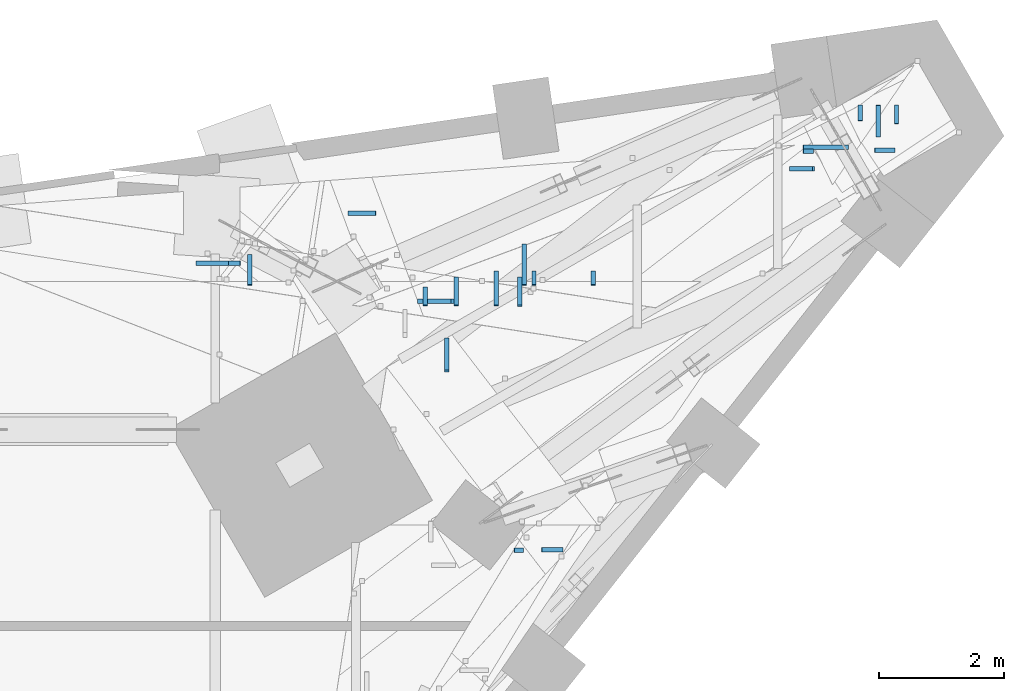
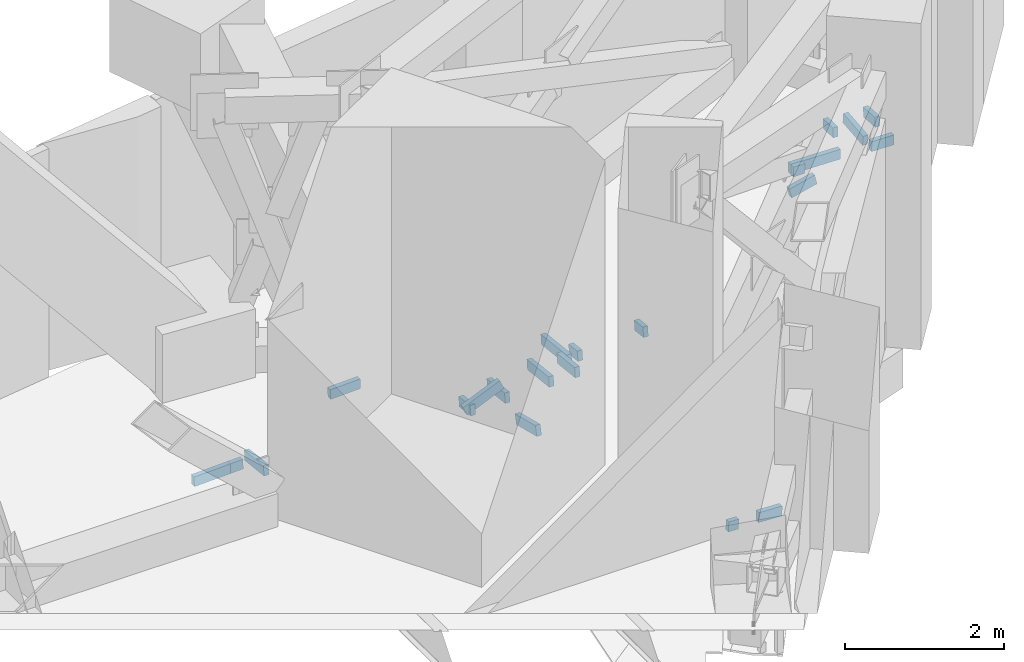
# One storey, part 6 of 22: 22 members, 1 element without a shape of its own.
"""IFC4 building model written with IfcOpenShell, lengths in metres."""

from ifc_helpers import new_model, si_unit, direction, frame, origin, origin_2d, place, context, subcontext, project, spatial, rectangle, extrude, material, material_profile, profile_set, type_object, element, aggregate, save


model = new_model("IFC4")

# Units and contexts
model_context = context("Model", 3, precision=1e-05, world=origin(), true_north=direction((0.0, 1.0)))
body_context = subcontext(model_context, "Body", "Model", "MODEL_VIEW")
ifc_project = project(units=[si_unit("LENGTHUNIT", "METRE"), si_unit("AREAUNIT", "SQUARE_METRE"), si_unit("VOLUMEUNIT", "CUBIC_METRE"), si_unit("PLANEANGLEUNIT", "RADIAN"), si_unit("MASSUNIT", "GRAM", prefix="KILO")], contexts=[model_context])

# Site, building, storey
site_placement = place(None, origin())
site = spatial("IfcSite", under=ifc_project, at=site_placement, CompositionType="ELEMENT")
building_placement = place(site_placement, origin())
building = spatial("IfcBuilding", under=site, at=building_placement, Name="Calabash Gate Tower", CompositionType="ELEMENT")
storey_placement = place(building_placement, frame((0.0, 0.0, 86.800048828125)))
storey = spatial("IfcBuildingStorey", under=building, at=storey_placement, Name="L18", CompositionType="ELEMENT", Elevation=86.800048828125)

# Curtain wall, members
ifc_material_1 = material(Name="Anodised aluminium frame, bronze finish, dark tinted laminated glass", Category="aluminium")
curtain_wall_type = type_object("IfcCurtainWallType", Name="Curtain wall CWD soffit glazing", PredefinedType="NOTDEFINED", material=ifc_material_1)
curtain_wall_placement = place(storey_placement, origin())
curtain_wall = element("IfcCurtainWall", 1, at=curtain_wall_placement, inside=storey, type_object=curtain_wall_type, Name="Curtain wall CWD soffit Z2 NE", PredefinedType="NOTDEFINED")
ifc_material_2 = material(Name="Anodised aluminium frame, bronze finish", Category="aluminium")
ifc_material_profile = material_profile(ifc_material_2, rectangle(XDim=0.14990234375, YDim=0.070068359375, at=origin_2d()))
ifc_profile_set = profile_set([ifc_material_profile], Name="Anodised aluminium frame, bronze finish")
member_type = type_object("IfcMemberType", Name="Soffit raking mullion 150x70", PredefinedType="MULLION", material=ifc_profile_set)
member_1_placement = place(storey_placement, frame((28.548095703125, 17.69091796875, -0.79296875), z_axis=(-0.916902112937, 0.0, -0.399112158787), x_axis=(-0.399112158787, 0.0, 0.916902112937)))
member_1 = element("IfcMember", 2, at=member_1_placement, type_object=member_type, Name="Soffit joint mullion Z2 NE 1", PredefinedType="MULLION", context=body_context, shape_type="SweptSolid", body=[
    extrude(rectangle(XDim=0.14990234375, YDim=0.070068359375, at=origin_2d()), origin(), (0.0, 0.0, 1.0), 0.578125),
])
member_2_placement = place(storey_placement, frame((29.6201171875, 18.071044921875, -1.00927734375), z_axis=(0.0, -0.993724560871, 0.111854803752), x_axis=(0.0, 0.111854803752, 0.993724560871)))
member_2 = element("IfcMember", 3, at=member_2_placement, type_object=member_type, Name="Soffit joint mullion Z2 NE 2", PredefinedType="MULLION", context=body_context, shape_type="SweptSolid", body=[
    extrude(rectangle(XDim=0.14990234375, YDim=0.070068359375, at=origin_2d()), origin(), (0.0, 0.0, 1.0), 0.451904296875),
])
member_3_placement = place(storey_placement, frame((35.35595703125, 20.3310546875, -1.0595703125), z_axis=(0.0, 0.994714099089, 0.102683304749), x_axis=(0.0, -0.102683304749, 0.994714099089)))
member_3 = element("IfcMember", 4, at=member_3_placement, type_object=member_type, Name="Soffit joint mullion Z2 NE 3", PredefinedType="MULLION", context=body_context, shape_type="SweptSolid", body=[
    extrude(rectangle(XDim=0.14990234375, YDim=0.070068359375, at=origin_2d()), origin(), (0.0, 0.0, 1.0), 0.501708984375),
])
member_4_placement = place(storey_placement, frame((29.243896484375, 17.6220703125, -0.97216796875), z_axis=(0.0, 0.993678013208, -0.112267564629), x_axis=(0.0, 0.112267564629, 0.993678013208)))
member_4 = element("IfcMember", 5, at=member_4_placement, type_object=member_type, Name="Soffit joint mullion Z2 NE 4", PredefinedType="MULLION", context=body_context, shape_type="SweptSolid", body=[
    extrude(rectangle(XDim=0.14990234375, YDim=0.070068359375, at=origin_2d()), origin(), (0.0, 0.0, 1.0), 0.554443359375),
])
member_5_placement = place(storey_placement, frame((28.10595703125, 17.6220703125, -1.012939453125), z_axis=(0.0, 0.99368971177, -0.112163972482), x_axis=(0.0, 0.112163972482, 0.99368971177)))
member_5 = element("IfcMember", 6, at=member_5_placement, type_object=member_type, Name="Soffit joint mullion Z2 NE 5", PredefinedType="MULLION", context=body_context, shape_type="SweptSolid", body=[
    extrude(rectangle(XDim=0.14990234375, YDim=0.070068359375, at=origin_2d()), origin(), (0.0, 0.0, 1.0), 0.2939453125),
])
member_6_placement = place(storey_placement, frame((28.60498046875, 17.6220703125, -0.9951171875), z_axis=(0.0, 0.993724560871, -0.111854803752), x_axis=(0.0, 0.111854803752, 0.993724560871)))
member_6 = element("IfcMember", 7, at=member_6_placement, type_object=member_type, Name="Soffit joint mullion Z2 NE 6", PredefinedType="MULLION", context=body_context, shape_type="SweptSolid", body=[
    extrude(rectangle(XDim=0.14990234375, YDim=0.070068359375, at=origin_2d()), origin(), (0.0, 0.0, 1.0), 0.451904296875),
])
member_7_placement = place(storey_placement, frame((29.849609375, 18.173095703125, -1.0126953125), z_axis=(0.0, -0.993655270944, 0.112468673524), x_axis=(0.0, 0.112468673524, 0.993655270944)))
member_7 = element("IfcMember", 8, at=member_7_placement, type_object=member_type, Name="Soffit joint mullion Z2 NE 7", PredefinedType="MULLION", context=body_context, shape_type="SweptSolid", body=[
    extrude(rectangle(XDim=0.14990234375, YDim=0.070068359375, at=origin_2d()), origin(), (0.0, 0.0, 1.0), 0.2236328125),
])
member_8_placement = place(storey_placement, frame((30.799560546875, 18.173095703125, -0.978759765625), z_axis=(0.0, -0.993655270944, 0.112468673524), x_axis=(0.0, 0.112468673524, 0.993655270944)))
member_8 = element("IfcMember", 9, at=member_8_placement, type_object=member_type, Name="Soffit joint mullion Z2 NE 8", PredefinedType="MULLION", context=body_context, shape_type="SweptSolid", body=[
    extrude(rectangle(XDim=0.14990234375, YDim=0.070068359375, at=origin_2d()), origin(), (0.0, 0.0, 1.0), 0.2236328125),
])
member_9_placement = place(storey_placement, frame((33.9541015625, 19.8125, -1.051025390625), z_axis=(0.97160353945, 0.0, 0.236614796933), x_axis=(-0.236614796933, 0.0, 0.97160353945)))
member_9 = element("IfcMember", 10, at=member_9_placement, type_object=member_type, Name="Soffit joint mullion Z2 NE 9", PredefinedType="MULLION", context=body_context, shape_type="SweptSolid", body=[
    extrude(rectangle(XDim=0.14990234375, YDim=0.070068359375, at=origin_2d()), origin(), (0.0, 0.0, 1.0), 0.378662109375),
])
member_10_placement = place(storey_placement, frame((25.301025390625, 17.950927734375, -1.150390625), z_axis=(0.0, 0.993705594113, -0.112023177192), x_axis=(0.0, 0.112023177192, 0.993705594113)))
member_10 = element("IfcMember", 11, at=member_10_placement, type_object=member_type, Name="Soffit joint mullion Z2 NE 10", PredefinedType="MULLION", context=body_context, shape_type="SweptSolid", body=[
    extrude(rectangle(XDim=0.14990234375, YDim=0.070068359375, at=origin_2d()), origin(), (0.0, 0.0, 1.0), 0.48828125),
])
member_11_placement = place(storey_placement, frame((24.965087890625, 18.301025390625, -1.201904296875), z_axis=(0.999364534976, 0.0, 0.035644441802), x_axis=(-0.035644441802, 0.0, 0.999364534976)))
member_11 = element("IfcMember", 12, at=member_11_placement, type_object=member_type, Name="Soffit joint mullion Z2 NE 11", PredefinedType="MULLION", context=body_context, shape_type="SweptSolid", body=[
    extrude(rectangle(XDim=0.14990234375, YDim=0.070068359375, at=origin_2d()), origin(), (0.0, 0.0, 1.0), 0.184814453125),
])
member_12_placement = place(storey_placement, frame((29.694091796875, 18.602294921875, -1.066650390625), z_axis=(0.0, -0.993696096595, 0.112107393207), x_axis=(0.0, 0.112107393207, 0.993696096595)))
member_12 = element("IfcMember", 13, at=member_12_placement, type_object=member_type, Name="Soffit joint mullion Z2 NE 14", PredefinedType="MULLION", context=body_context, shape_type="SweptSolid", body=[
    extrude(rectangle(XDim=0.14990234375, YDim=0.070068359375, at=origin_2d()), origin(), (0.0, 0.0, 1.0), 0.655517578125),
])
member_13_placement = place(storey_placement, frame((27.31396484375, 19.1044921875, -1.20849609375), z_axis=(-0.999358570348, 0.0, -0.035811281356), x_axis=(-0.035811281356, 0.0, 0.999358570348)))
member_13 = element("IfcMember", 14, at=member_13_placement, type_object=member_type, Name="Soffit joint mullion Z2 NE 15", PredefinedType="MULLION", context=body_context, shape_type="SweptSolid", body=[
    extrude(rectangle(XDim=0.14990234375, YDim=0.070068359375, at=origin_2d()), origin(), (0.0, 0.0, 1.0), 0.436279296875),
])
member_14_placement = place(storey_placement, frame((28.4541015625, 17.091064453125, -0.9404296875), z_axis=(0.0, -0.969103185315, 0.246655663246), x_axis=(0.0, 0.246655663246, 0.969103185315)))
member_14 = element("IfcMember", 15, at=member_14_placement, type_object=member_type, Name="Soffit joint mullion Z2 NE 16", PredefinedType="MULLION", context=body_context, shape_type="SweptSolid", body=[
    extrude(rectangle(XDim=0.14990234375, YDim=0.070068359375, at=origin_2d()), origin(), (0.0, 0.0, 1.0), 0.529541015625),
])
member_15_placement = place(storey_placement, frame((29.531005859375, 13.7060546875, -0.90625), z_axis=(0.999195611484, 0.0, -0.040101496113), x_axis=(0.040101496113, 0.0, 0.999195611484)))
member_15 = element("IfcMember", 16, at=member_15_placement, type_object=member_type, Name="Soffit joint mullion Z2 NE 18", PredefinedType="MULLION", context=body_context, shape_type="SweptSolid", body=[
    extrude(rectangle(XDim=0.14990234375, YDim=0.070068359375, at=origin_2d()), origin(), (0.0, 0.0, 1.0), 0.14599609375),
])
member_16_placement = place(storey_placement, frame((34.876953125, 20.156982421875, -0.97802734375), z_axis=(-0.999757177478, 0.0, 0.022036017815), x_axis=(0.022036017815, 0.0, 0.999757177478)))
member_16 = element("IfcMember", 17, at=member_16_placement, type_object=member_type, Name="Soffit joint mullion Z2 NE 19", PredefinedType="MULLION", context=body_context, shape_type="SweptSolid", body=[
    extrude(rectangle(XDim=0.14990234375, YDim=0.070068359375, at=origin_2d()), origin(), (0.0, 0.0, 1.0), 0.72021484375),
])
member_17_placement = place(storey_placement, frame((24.43994140625, 18.301025390625, -1.220703125), z_axis=(0.999361102015, 0.0, 0.035740562108), x_axis=(-0.035740562108, 0.0, 0.999361102015)))
member_17 = element("IfcMember", 18, at=member_17_placement, type_object=member_type, Name="Soffit joint mullion Z2 NE 20", PredefinedType="MULLION", context=body_context, shape_type="SweptSolid", body=[
    extrude(rectangle(XDim=0.14990234375, YDim=0.070068359375, at=origin_2d()), origin(), (0.0, 0.0, 1.0), 0.71044921875),
])
member_18_placement = place(storey_placement, frame((29.972900390625, 13.714599609375, -0.923828125), z_axis=(0.999188268274, 0.0, -0.040284048253), x_axis=(0.040284048253, 0.0, 0.999188268274)))
member_18 = element("IfcMember", 19, at=member_18_placement, type_object=member_type, Name="Soffit joint mullion Z2 NE 22", PredefinedType="MULLION", context=body_context, shape_type="SweptSolid", body=[
    extrude(rectangle(XDim=0.14990234375, YDim=0.070068359375, at=origin_2d()), origin(), (0.0, 0.0, 1.0), 0.33935546875),
])
member_19_placement = place(storey_placement, frame((35.0693359375, 20.580078125, -0.987548828125), z_axis=(0.0, 0.999347848438, -0.03610924843), x_axis=(0.0, 0.03610924843, 0.999347848438)))
member_19 = element("IfcMember", 20, at=member_19_placement, type_object=member_type, Name="Soffit joint mullion Z2 NE 23", PredefinedType="MULLION", context=body_context, shape_type="SweptSolid", body=[
    extrude(rectangle(XDim=0.14990234375, YDim=0.070068359375, at=origin_2d()), origin(), (0.0, 0.0, 1.0), 0.250244140625),
])
member_20_placement = place(storey_placement, frame((34.322021484375, 20.092529296875, -0.96484375), z_axis=(-0.999753907265, 0.0, 0.022183888475), x_axis=(0.022183888475, 0.0, 0.999753907265)))
member_20 = element("IfcMember", 21, at=member_20_placement, type_object=member_type, Name="Soffit joint mullion Z2 NE 24", PredefinedType="MULLION", context=body_context, shape_type="SweptSolid", body=[
    extrude(rectangle(XDim=0.14990234375, YDim=0.070068359375, at=origin_2d()), origin(), (0.0, 0.0, 1.0), 0.1650390625),
])
member_21_placement = place(storey_placement, frame((35.302978515625, 20.112060546875, -0.98681640625), z_axis=(0.999758387727, 0.0, -0.021981041125), x_axis=(0.021981041125, 0.0, 0.999758387727)))
member_21 = element("IfcMember", 22, at=member_21_placement, type_object=member_type, Name="Soffit joint mullion Z2 NE 25", PredefinedType="MULLION", context=body_context, shape_type="SweptSolid", body=[
    extrude(rectangle(XDim=0.14990234375, YDim=0.070068359375, at=origin_2d()), origin(), (0.0, 0.0, 1.0), 0.322021484375),
])
member_22_placement = place(storey_placement, frame((35.649658203125, 20.532958984375, -0.999755859375), z_axis=(0.0, 0.997737748527, -0.067226372538), x_axis=(0.0, 0.067226372538, 0.997737748527)))
member_22 = element("IfcMember", 23, at=member_22_placement, type_object=member_type, Name="Soffit joint mullion Z2 NE 27", PredefinedType="MULLION", context=body_context, shape_type="SweptSolid", body=[
    extrude(rectangle(XDim=0.14990234375, YDim=0.070068359375, at=origin_2d()), origin(), (0.0, 0.0, 1.0), 0.2978515625),
])
aggregate(curtain_wall, [member_1, member_2, member_3, member_4, member_5, member_6, member_7, member_8, member_9, member_10, member_11, member_12, member_13, member_14, member_15, member_16, member_17, member_18, member_19, member_20, member_21, member_22])

save(model, "model.ifc")
